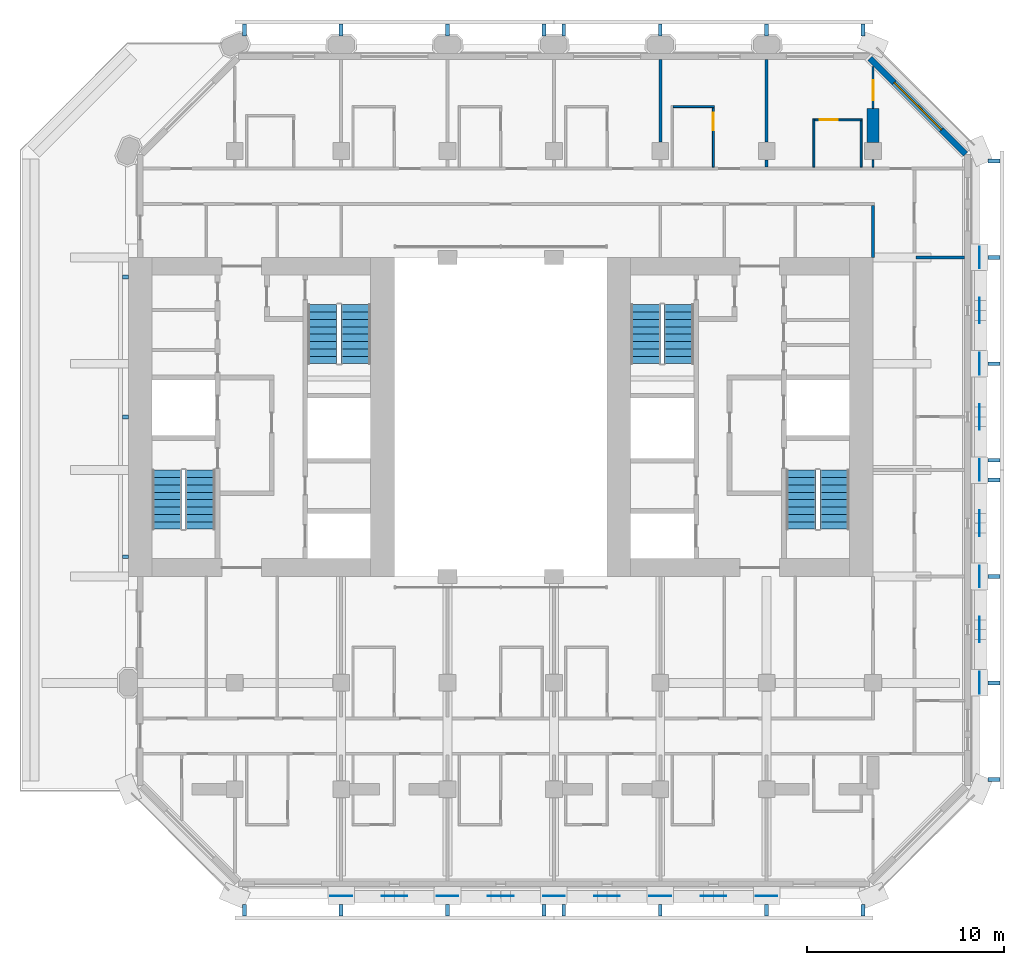
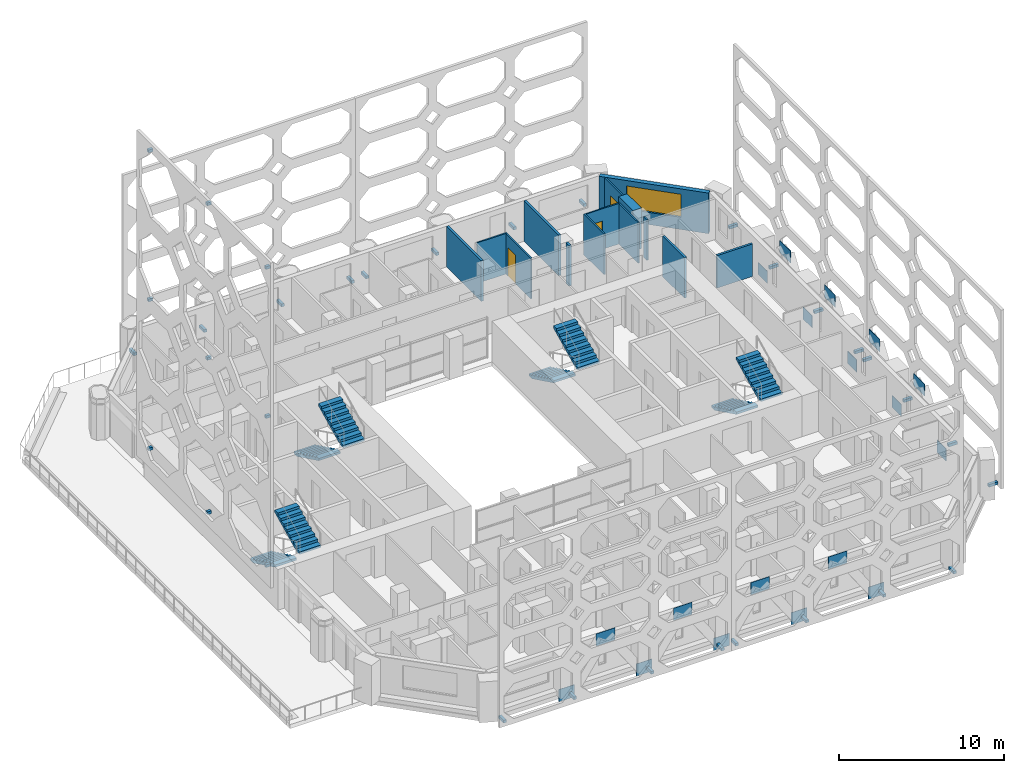
# One storey, part 12 of 16: 51 discrete accessories, 14 walls, 8 stair flights, 3 doors, 1 window, 4 openings, 4 elements without a shape of their own.
"""IFC4 building model written with IfcOpenShell, lengths in metres."""

from ifc_helpers import new_model, si_unit, direction, frame, frame_2d, origin, origin_2d, place, context, subcontext, project, spatial, polyline, rectangle, outline, extrude, material, layer, layer_set, type_object, element, fill, aggregate, save


model = new_model("IFC4")

# Units and contexts
model_context = context("Model", 3, precision=1e-05, world=origin(), true_north=direction((0.0, 1.0)))
body_context = subcontext(model_context, "Body", "Model", "MODEL_VIEW")
ifc_project = project(units=[si_unit("LENGTHUNIT", "METRE"), si_unit("AREAUNIT", "SQUARE_METRE"), si_unit("VOLUMEUNIT", "CUBIC_METRE"), si_unit("PLANEANGLEUNIT", "RADIAN"), si_unit("MASSUNIT", "GRAM", prefix="KILO")], contexts=[model_context])

# Site, building, storey
site_placement = place(None, origin())
site = spatial("IfcSite", under=ifc_project, at=site_placement, CompositionType="ELEMENT")
building_placement = place(site_placement, origin())
building = spatial("IfcBuilding", under=site, at=building_placement, Name="Tabaq Tower and Sports Hall", CompositionType="ELEMENT")
storey_placement = place(building_placement, frame((0.0, 0.0, 152.800048828125)))
storey = spatial("IfcBuildingStorey", under=building, at=storey_placement, Name="L35", CompositionType="ELEMENT", Elevation=152.800048828125)

# Wall
ifc_material_1 = material(Name="Gypsum board on steel studs", Category="steel")
ifc_layer_1 = layer(ifc_material_1, 0.10009765625)
ifc_layer_set_1 = layer_set([ifc_layer_1], Name="Partition 100 Gypsum board")
wall_type_1 = type_object("IfcWallType", Name="Partition 100 Gypsum board", PredefinedType="PARTITIONING", material=ifc_layer_set_1)
wall_1_placement = place(storey_placement, frame((33.050048828125, 40.050048828125, 0.0), z_axis=(0.0, 0.0, 1.0), x_axis=(1.0, 0.0, 0.0)))
element("IfcWall", 1, at=wall_1_placement, inside=storey, type_object=wall_type_1, Name="Partition wall L35", PredefinedType="PARTITIONING", context=body_context, shape_type="SweptSolid", body=[
    extrude(rectangle(XDim=2.099853515625, YDim=0.10009765625, at=frame_2d((1.0498046875, 0.0))), origin(), (0.0, 0.0, 1.0), 3.0),
])

# Wall, opening, door
wall_2_placement = place(storey_placement, frame((35.10009765625, 40.0, 0.0), z_axis=(0.0, 0.0, 1.0), x_axis=(0.0, -1.0, 0.0)))
wall_2 = element("IfcWall", 2, at=wall_2_placement, inside=storey, type_object=wall_type_1, Name="Partition wall L35", PredefinedType="PARTITIONING", context=body_context, shape_type="SweptSolid", body=[
    extrude(rectangle(XDim=3.02490234375, YDim=0.10009765625, at=frame_2d((1.512451171875, 0.0))), origin(), (0.0, 0.0, 1.0), 3.0),
])
opening_1_placement = place(wall_2_placement, frame((0.25, 0.0, 0.0)))
opening_1 = element("IfcOpeningElement", 3, at=opening_1_placement, cuts=wall_2, Name="Opening L35-006", PredefinedType="OPENING", context=body_context, shape_type="SweptSolid", body=[
    extrude(rectangle(XDim=0.89990234375, YDim=2.10009765625, at=frame_2d((0.449951171875, 1.050048828125))), frame((0.0, 0.050048828125, 0.0), z_axis=(0.0, -1.0, 0.0), x_axis=(1.0, 0.0, 0.0)), (0.0, 0.0, 1.0), 0.10009765625),
])
ifc_material_2 = material(Name="Timber leaf in steel frame", Category="steel")
door_type_1 = type_object("IfcDoorType", Name="Internal door 900 left hand", OperationType="SINGLE_SWING_LEFT", PredefinedType="DOOR", material=ifc_material_2)
door_1_placement = place(opening_1_placement, origin())
door_1 = element("IfcDoor", 4, at=door_1_placement, inside=storey, type_object=door_type_1, Name="Internal door L35-006", OperationType="SINGLE_SWING_LEFT", OverallHeight=2.10009765625, OverallWidth=0.89990234375, PredefinedType="DOOR", context=body_context, shape_type="SweptSolid", body=[
    extrude(rectangle(XDim=0.89990234375, YDim=2.10009765625, at=frame_2d((0.449951171875, 1.050048828125))), frame((0.0, 0.02490234375, 0.0), z_axis=(0.0, -1.0, 0.0), x_axis=(1.0, 0.0, 0.0)), (0.0, 0.0, 1.0), 0.050048828125),
])
fill(opening_1, door_1)

# Wall
wall_3_placement = place(storey_placement, frame((40.199951171875, 36.97509765625, 0.0), z_axis=(0.0, 0.0, 1.0), x_axis=(0.0, 1.0, 0.0)))
element("IfcWall", 5, at=wall_3_placement, inside=storey, type_object=wall_type_1, Name="Partition wall L35", PredefinedType="PARTITIONING", context=body_context, shape_type="SweptSolid", body=[
    extrude(rectangle(XDim=2.449951171875, YDim=0.10009765625, at=frame_2d((1.22509765625, 0.0))), origin(), (0.0, 0.0, 1.0), 3.0),
])

# Wall, opening, door
wall_4_placement = place(storey_placement, frame((40.25, 39.375, 0.0), z_axis=(0.0, 0.0, 1.0), x_axis=(1.0, 0.0, 0.0)))
wall_4 = element("IfcWall", 6, at=wall_4_placement, inside=storey, type_object=wall_type_1, Name="Partition wall L35", PredefinedType="PARTITIONING", context=body_context, shape_type="SweptSolid", body=[
    extrude(rectangle(XDim=2.39990234375, YDim=0.10009765625, at=frame_2d((1.199951171875, 0.0))), origin(), (0.0, 0.0, 1.0), 3.0),
])
opening_2_placement = place(wall_4_placement, frame((0.25, 0.0, 0.0)))
opening_2 = element("IfcOpeningElement", 7, at=opening_2_placement, cuts=wall_4, Name="Opening L35-007", PredefinedType="OPENING", context=body_context, shape_type="SweptSolid", body=[
    extrude(rectangle(XDim=0.89990234375, YDim=2.10009765625, at=frame_2d((0.449951171875, 1.050048828125))), frame((0.0, 0.050048828125, 0.0), z_axis=(0.0, -1.0, 0.0), x_axis=(1.0, 0.0, 0.0)), (0.0, 0.0, 1.0), 0.10009765625),
])
door_2_placement = place(opening_2_placement, origin())
door_2 = element("IfcDoor", 8, at=door_2_placement, inside=storey, type_object=door_type_1, Name="Internal door L35-007", OperationType="SINGLE_SWING_LEFT", OverallHeight=2.10009765625, OverallWidth=0.89990234375, PredefinedType="DOOR", context=body_context, shape_type="SweptSolid", body=[
    extrude(rectangle(XDim=0.89990234375, YDim=2.10009765625, at=frame_2d((0.449951171875, 1.050048828125))), frame((0.0, 0.02490234375, 0.0), z_axis=(0.0, -1.0, 0.0), x_axis=(1.0, 0.0, 0.0)), (0.0, 0.0, 1.0), 0.050048828125),
])
fill(opening_2, door_2)

# Walls
wall_5_placement = place(storey_placement, frame((42.60009765625, 39.324951171875, 0.0), z_axis=(0.0, 0.0, 1.0), x_axis=(0.0, -1.0, 0.0)))
element("IfcWall", 9, at=wall_5_placement, inside=storey, type_object=wall_type_1, Name="Partition wall L35", PredefinedType="PARTITIONING", context=body_context, shape_type="SweptSolid", body=[
    extrude(rectangle(XDim=2.349853515625, YDim=0.10009765625, at=frame_2d((1.1748046875, 0.0))), origin(), (0.0, 0.0, 1.0), 3.0),
])
wall_6_placement = place(storey_placement, frame((43.199951171875, 36.97509765625, 0.0), z_axis=(0.0, 0.0, 1.0), x_axis=(0.0, 1.0, 0.0)))
element("IfcWall", 10, at=wall_6_placement, inside=storey, type_object=wall_type_1, Name="Partition wall L35", PredefinedType="PARTITIONING", context=body_context, shape_type="SweptSolid", body=[
    extrude(rectangle(XDim=0.3798828125, YDim=0.10009765625, at=frame_2d((0.18994140625, 0.0))), origin(), (0.0, 0.0, 1.0), 3.0),
])

# Wall, opening, door
wall_7_placement = place(storey_placement, frame((43.199951171875, 39.96240234375, 0.0), z_axis=(0.0, 0.0, 1.0), x_axis=(0.0, 1.0, 0.0)))
wall_7 = element("IfcWall", 11, at=wall_7_placement, inside=storey, type_object=wall_type_1, Name="Partition wall L35", PredefinedType="PARTITIONING", context=body_context, shape_type="SweptSolid", body=[
    extrude(rectangle(XDim=2.12548828125, YDim=0.10009765625, at=frame_2d((1.062744140625, 0.0))), origin(), (0.0, 0.0, 1.0), 3.0),
])
opening_3_placement = place(wall_7_placement, frame((0.42138671875, 0.0, 0.0)))
opening_3 = element("IfcOpeningElement", 12, at=opening_3_placement, cuts=wall_7, Name="Opening L35-034", PredefinedType="OPENING", context=body_context, shape_type="SweptSolid", body=[
    extrude(rectangle(XDim=1.0, YDim=2.10009765625, at=frame_2d((0.5, 1.050048828125))), frame((0.0, 0.050048828125, 0.0), z_axis=(0.0, -1.0, 0.0), x_axis=(1.0, 0.0, 0.0)), (0.0, 0.0, 1.0), 0.10009765625),
])
ifc_material_3 = material(Name="Timber leaf in steel frame", Category="steel")
door_type_2 = type_object("IfcDoorType", Name="Internal door 1000 left hand", OperationType="SINGLE_SWING_LEFT", PredefinedType="DOOR", material=ifc_material_3)
door_3_placement = place(opening_3_placement, origin())
door_3 = element("IfcDoor", 13, at=door_3_placement, inside=storey, type_object=door_type_2, Name="Internal door L35-034", OperationType="SINGLE_SWING_LEFT", OverallHeight=2.10009765625, OverallWidth=1.0, PredefinedType="DOOR", context=body_context, shape_type="SweptSolid", body=[
    extrude(rectangle(XDim=1.0, YDim=2.10009765625, at=frame_2d((0.5, 1.050048828125))), frame((0.0, 0.02490234375, 0.0), z_axis=(0.0, -1.0, 0.0), x_axis=(1.0, 0.0, 0.0)), (0.0, 0.0, 1.0), 0.050048828125),
])
fill(opening_3, door_3)

# Walls
ifc_material_4 = material(Name="Concrete C50/60", Category="concrete")
ifc_layer_2 = layer(ifc_material_4, 0.60009765625)
ifc_layer_set_2 = layer_set([ifc_layer_2], Name="RC TRANSFER WALL 600 C50/60")
wall_type_2 = type_object("IfcWallType", Name="RC TRANSFER WALL 600 C50/60", PredefinedType="SHEAR", material=ifc_layer_set_2)
wall_8_placement = place(storey_placement, frame((43.199951171875, 38.22509765625, 0.0), z_axis=(0.0, 0.0, 1.0), x_axis=(0.0, 1.0, 0.0)))
element("IfcWall", 14, at=wall_8_placement, inside=storey, type_object=wall_type_2, Name="Transfer Wall L35 East 2", PredefinedType="SHEAR", context=body_context, shape_type="SweptSolid", body=[
    extrude(rectangle(XDim=1.7373046875, YDim=0.60009765625, at=frame_2d((0.86865234375, 0.0))), origin(), (0.0, 0.0, 1.0), 3.0),
])
ifc_material_5 = material(Name="Blockwork", Category="masonry")
ifc_layer_3 = layer(ifc_material_5, 0.14990234375)
ifc_layer_set_3 = layer_set([ifc_layer_3], Name="Separating wall 150 Blockwork")
wall_type_3 = type_object("IfcWallType", Name="Separating wall 150 Blockwork", PredefinedType="PARTITIONING", material=ifc_layer_set_3)
wall_9_placement = place(storey_placement, frame((45.375, 32.39990234375, 0.0), z_axis=(0.0, 0.0, 1.0), x_axis=(1.0, 0.0, 0.0)))
element("IfcWall", 15, at=wall_9_placement, inside=storey, type_object=wall_type_3, Name="Separating wall L35", PredefinedType="PARTITIONING", context=body_context, shape_type="SweptSolid", body=[
    extrude(rectangle(XDim=2.47412109375, YDim=0.14990234375, at=frame_2d((1.237060546875, 0.0))), origin(), (0.0, 0.0, 1.0), 2.39990234375),
])
wall_10_placement = place(storey_placement, frame((32.39990234375, 38.2451171875, 0.0), z_axis=(0.0, 0.0, 1.0), x_axis=(0.0, 1.0, 0.0)))
element("IfcWall", 16, at=wall_10_placement, inside=storey, type_object=wall_type_3, Name="Separating wall L35", PredefinedType="PARTITIONING", context=body_context, shape_type="SweptSolid", body=[
    extrude(rectangle(XDim=4.203857421875, YDim=0.14990234375, at=frame_2d((2.10205078125, 0.0))), origin(), (0.0, 0.0, 1.0), 3.0),
])
wall_11_placement = place(storey_placement, frame((37.800048828125, 36.97509765625, 0.0), z_axis=(0.0, 0.0, 1.0), x_axis=(0.0, 1.0, 0.0)))
element("IfcWall", 17, at=wall_11_placement, inside=storey, type_object=wall_type_3, Name="Separating wall L35", PredefinedType="PARTITIONING", context=body_context, shape_type="SweptSolid", body=[
    extrude(rectangle(XDim=0.3798828125, YDim=0.14990234375, at=frame_2d((0.18994140625, 0.0))), origin(), (0.0, 0.0, 1.0), 3.0),
])
wall_12_placement = place(storey_placement, frame((37.800048828125, 38.2451171875, 0.0), z_axis=(0.0, 0.0, 1.0), x_axis=(0.0, 1.0, 0.0)))
element("IfcWall", 18, at=wall_12_placement, inside=storey, type_object=wall_type_3, Name="Separating wall L35", PredefinedType="PARTITIONING", context=body_context, shape_type="SweptSolid", body=[
    extrude(rectangle(XDim=4.203857421875, YDim=0.14990234375, at=frame_2d((2.10205078125, 0.0))), origin(), (0.0, 0.0, 1.0), 3.0),
])
wall_13_placement = place(storey_placement, frame((43.199951171875, 35.02490234375, 0.0), z_axis=(0.0, 0.0, 1.0), x_axis=(0.0, -1.0, 0.0)))
element("IfcWall", 19, at=wall_13_placement, inside=storey, type_object=wall_type_3, Name="Separating wall L35", PredefinedType="PARTITIONING", context=body_context, shape_type="SweptSolid", body=[
    extrude(rectangle(XDim=2.625, YDim=0.14990234375, at=frame_2d((1.3125, 0.0))), origin(), (0.0, 0.0, 1.0), 3.0),
])

# Wall, opening, window
ifc_material_6 = material(Name="White precast concrete C60/75", Category="concrete")
ifc_layer_4 = layer(ifc_material_6, 0.300048828125)
ifc_layer_set_4 = layer_set([ifc_layer_4], Name="White precast concrete C60/75 external wall 300")
wall_type_4 = type_object("IfcWallType", Name="White precast concrete C60/75 external wall 300", PredefinedType="SOLIDWALL", material=ifc_layer_set_4)
wall_14_placement = place(storey_placement, frame((47.901123046875, 37.650390625, 0.0), z_axis=(0.0, 0.0, 1.0), x_axis=(-0.707106781187, 0.707106781187, 0.0)))
wall_14 = element("IfcWall", 20, at=wall_14_placement, inside=storey, type_object=wall_type_4, Name="External Wall L35 NE", PredefinedType="SOLIDWALL", context=body_context, shape_type="SweptSolid", body=[
    extrude(rectangle(XDim=6.85986328125, YDim=0.300048828125, at=frame_2d((3.429931640625, 0.0))), origin(), (0.0, 0.0, 1.0), 3.0),
])
opening_4_placement = place(wall_14_placement, frame((1.729736328125, 0.0, 0.89990234375)))
opening_4 = element("IfcOpeningElement", 21, at=opening_4_placement, cuts=wall_14, Name="Opening W1A", PredefinedType="OPENING", context=body_context, shape_type="SweptSolid", body=[
    extrude(rectangle(XDim=3.39990234375, YDim=1.699951171875, at=frame_2d((1.699951171875, 0.85009765625))), frame((0.0, 0.16015625, 0.0), z_axis=(0.0, -1.0, 0.0), x_axis=(1.0, 0.0, 0.0)), (0.0, 0.0, 1.0), 0.320068359375),
])
ifc_material_7 = material(Name="Aluminium framed clear glazing", Category="aluminium")
window_type = type_object("IfcWindowType", Name="Window W1A", PartitioningType="SINGLE_PANEL", PredefinedType="WINDOW", material=ifc_material_7)
window_placement = place(opening_4_placement, origin())
window = element("IfcWindow", 22, at=window_placement, inside=storey, type_object=window_type, Name="Window W1A L35", OverallHeight=1.699951171875, OverallWidth=3.39990234375, PartitioningType="SINGLE_PANEL", PredefinedType="WINDOW", context=body_context, shape_type="SweptSolid", body=[
    extrude(rectangle(XDim=3.39990234375, YDim=1.699951171875, at=frame_2d((1.699951171875, 0.85009765625))), frame((0.0, 0.030029296875, 0.0), z_axis=(0.0, -1.0, 0.0), x_axis=(1.0, 0.0, 0.0)), (0.0, 0.0, 1.0), 0.06005859375),
])
fill(opening_4, window)

# Stair, stair flights
ifc_material_8 = material(Name="Concrete C40/50", Category="concrete")
stair_type = type_object("IfcStairType", Name="Exit stair", PredefinedType="HALF_TURN_STAIR", material=ifc_material_8)
stair_1_placement = place(storey_placement, origin())
stair_1 = element("IfcStair", 23, at=stair_1_placement, inside=storey, type_object=stair_type, Name="L35 Exit stair ST1", PredefinedType="HALF_TURN_STAIR")
ifc_material_9 = material(Name="Concrete C40/50", Category="concrete")
stair_flight_type = type_object("IfcStairFlightType", Name="Exit stair flight", PredefinedType="STRAIGHT", material=ifc_material_9)
stair_flight_1_placement = place(storey_placement, frame((7.35009765625, 21.60009765625, 0.0), z_axis=(0.0, 0.0, 1.0), x_axis=(0.0, -1.0, 0.0)))
stair_flight_1 = element("IfcStairFlight", 24, at=stair_flight_1_placement, type_object=stair_flight_type, Name="ST1 flight 1", NumberOfRisers=9, NumberOfTreads=8, PredefinedType="STRAIGHT", RiserHeight=0.183333333, TreadLength=0.375, context=body_context, shape_type="SweptSolid", body=[
    extrude(outline(polyline([(0.0, 0.0), (0.0, 0.183349609375), (0.375, 0.183349609375), (0.375, 0.36669921875), (0.75, 0.36669921875), (0.75, 0.550048828125), (1.125, 0.550048828125), (1.125, 0.7333984375), (1.5, 0.7333984375), (1.5, 0.916748046875), (1.875, 0.916748046875), (1.875, 1.10009765625), (2.25, 1.10009765625), (2.25, 1.283447265625), (2.625, 1.283447265625), (2.625, 1.466552734375), (3.0, 1.466552734375), (3.0, 1.64990234375), (3.0, 1.2998046875), (0.34130859375, 0.0), (0.0, 0.0)])), frame((0.0, 0.75, 0.0), z_axis=(0.0, -1.0, 0.0), x_axis=(1.0, 0.0, 0.0)), (0.0, 0.0, 1.0), 1.5),
])
stair_flight_2_placement = place(storey_placement, frame((9.050048828125, 18.60009765625, 1.64990234375), z_axis=(0.0, 0.0, 1.0), x_axis=(0.0, 1.0, 0.0)))
stair_flight_2 = element("IfcStairFlight", 25, at=stair_flight_2_placement, type_object=stair_flight_type, Name="ST1 flight 2", NumberOfRisers=9, NumberOfTreads=8, PredefinedType="STRAIGHT", RiserHeight=0.183333333, TreadLength=0.375, context=body_context, shape_type="SweptSolid", body=[
    extrude(outline(polyline([(0.0, 0.0), (0.0, 0.183349609375), (0.375, 0.183349609375), (0.375, 0.36669921875), (0.75, 0.36669921875), (0.75, 0.550048828125), (1.125, 0.550048828125), (1.125, 0.7333984375), (1.5, 0.7333984375), (1.5, 0.916748046875), (1.875, 0.916748046875), (1.875, 1.10009765625), (2.25, 1.10009765625), (2.25, 1.283447265625), (2.625, 1.283447265625), (2.625, 1.466552734375), (3.0, 1.466552734375), (3.0, 1.64990234375), (3.0, 1.2998046875), (0.34130859375, 0.0), (0.0, 0.0)])), frame((0.0, 0.75, 0.0), z_axis=(0.0, -1.0, 0.0), x_axis=(1.0, 0.0, 0.0)), (0.0, 0.0, 1.0), 1.5),
])
aggregate(stair_1, [stair_flight_1, stair_flight_2])

stair_2_placement = place(storey_placement, origin())
stair_2 = element("IfcStair", 26, at=stair_2_placement, inside=storey, type_object=stair_type, Name="L35 Exit stair ST2", PredefinedType="HALF_TURN_STAIR")
stair_flight_3_placement = place(storey_placement, frame((15.25, 30.0, 0.0), z_axis=(0.0, 0.0, 1.0), x_axis=(0.0, -1.0, 0.0)))
stair_flight_3 = element("IfcStairFlight", 27, at=stair_flight_3_placement, type_object=stair_flight_type, Name="ST2 flight 1", NumberOfRisers=9, NumberOfTreads=8, PredefinedType="STRAIGHT", RiserHeight=0.183333333, TreadLength=0.375, context=body_context, shape_type="SweptSolid", body=[
    extrude(outline(polyline([(0.0, 0.0), (0.0, 0.183349609375), (0.375, 0.183349609375), (0.375, 0.36669921875), (0.75, 0.36669921875), (0.75, 0.550048828125), (1.125, 0.550048828125), (1.125, 0.7333984375), (1.5, 0.7333984375), (1.5, 0.916748046875), (1.875, 0.916748046875), (1.875, 1.10009765625), (2.25, 1.10009765625), (2.25, 1.283447265625), (2.625, 1.283447265625), (2.625, 1.466552734375), (3.0, 1.466552734375), (3.0, 1.64990234375), (3.0, 1.2998046875), (0.34130859375, 0.0), (0.0, 0.0)])), frame((0.0, 0.75, 0.0), z_axis=(0.0, -1.0, 0.0), x_axis=(1.0, 0.0, 0.0)), (0.0, 0.0, 1.0), 1.5),
])
stair_flight_4_placement = place(storey_placement, frame((16.949951171875, 27.0, 1.64990234375), z_axis=(0.0, 0.0, 1.0), x_axis=(0.0, 1.0, 0.0)))
stair_flight_4 = element("IfcStairFlight", 28, at=stair_flight_4_placement, type_object=stair_flight_type, Name="ST2 flight 2", NumberOfRisers=9, NumberOfTreads=8, PredefinedType="STRAIGHT", RiserHeight=0.183333333, TreadLength=0.375, context=body_context, shape_type="SweptSolid", body=[
    extrude(outline(polyline([(0.0, 0.0), (0.0, 0.183349609375), (0.375, 0.183349609375), (0.375, 0.36669921875), (0.75, 0.36669921875), (0.75, 0.550048828125), (1.125, 0.550048828125), (1.125, 0.7333984375), (1.5, 0.7333984375), (1.5, 0.916748046875), (1.875, 0.916748046875), (1.875, 1.10009765625), (2.25, 1.10009765625), (2.25, 1.283447265625), (2.625, 1.283447265625), (2.625, 1.466552734375), (3.0, 1.466552734375), (3.0, 1.64990234375), (3.0, 1.2998046875), (0.34130859375, 0.0), (0.0, 0.0)])), frame((0.0, 0.75, 0.0), z_axis=(0.0, -1.0, 0.0), x_axis=(1.0, 0.0, 0.0)), (0.0, 0.0, 1.0), 1.5),
])
aggregate(stair_2, [stair_flight_3, stair_flight_4])

stair_3_placement = place(storey_placement, origin())
stair_3 = element("IfcStair", 29, at=stair_3_placement, inside=storey, type_object=stair_type, Name="L35 Exit stair ST3", PredefinedType="HALF_TURN_STAIR")
stair_flight_5_placement = place(storey_placement, frame((39.550048828125, 21.60009765625, 0.0), z_axis=(0.0, 0.0, 1.0), x_axis=(0.0, -1.0, 0.0)))
stair_flight_5 = element("IfcStairFlight", 30, at=stair_flight_5_placement, type_object=stair_flight_type, Name="ST3 flight 1", NumberOfRisers=9, NumberOfTreads=8, PredefinedType="STRAIGHT", RiserHeight=0.183333333, TreadLength=0.375, context=body_context, shape_type="SweptSolid", body=[
    extrude(outline(polyline([(0.0, 0.0), (0.0, 0.183349609375), (0.375, 0.183349609375), (0.375, 0.36669921875), (0.75, 0.36669921875), (0.75, 0.550048828125), (1.125, 0.550048828125), (1.125, 0.7333984375), (1.5, 0.7333984375), (1.5, 0.916748046875), (1.875, 0.916748046875), (1.875, 1.10009765625), (2.25, 1.10009765625), (2.25, 1.283447265625), (2.625, 1.283447265625), (2.625, 1.466552734375), (3.0, 1.466552734375), (3.0, 1.64990234375), (3.0, 1.2998046875), (0.34130859375, 0.0), (0.0, 0.0)])), frame((0.0, 0.75, 0.0), z_axis=(0.0, -1.0, 0.0), x_axis=(1.0, 0.0, 0.0)), (0.0, 0.0, 1.0), 1.5),
])
stair_flight_6_placement = place(storey_placement, frame((41.25, 18.60009765625, 1.64990234375), z_axis=(0.0, 0.0, 1.0), x_axis=(0.0, 1.0, 0.0)))
stair_flight_6 = element("IfcStairFlight", 31, at=stair_flight_6_placement, type_object=stair_flight_type, Name="ST3 flight 2", NumberOfRisers=9, NumberOfTreads=8, PredefinedType="STRAIGHT", RiserHeight=0.183333333, TreadLength=0.375, context=body_context, shape_type="SweptSolid", body=[
    extrude(outline(polyline([(0.0, 0.0), (0.0, 0.183349609375), (0.375, 0.183349609375), (0.375, 0.36669921875), (0.75, 0.36669921875), (0.75, 0.550048828125), (1.125, 0.550048828125), (1.125, 0.7333984375), (1.5, 0.7333984375), (1.5, 0.916748046875), (1.875, 0.916748046875), (1.875, 1.10009765625), (2.25, 1.10009765625), (2.25, 1.283447265625), (2.625, 1.283447265625), (2.625, 1.466552734375), (3.0, 1.466552734375), (3.0, 1.64990234375), (3.0, 1.2998046875), (0.34130859375, 0.0), (0.0, 0.0)])), frame((0.0, 0.75, 0.0), z_axis=(0.0, -1.0, 0.0), x_axis=(1.0, 0.0, 0.0)), (0.0, 0.0, 1.0), 1.5),
])
aggregate(stair_3, [stair_flight_5, stair_flight_6])

stair_4_placement = place(storey_placement, origin())
stair_4 = element("IfcStair", 32, at=stair_4_placement, inside=storey, type_object=stair_type, Name="L35 Exit stair ST4", PredefinedType="HALF_TURN_STAIR")
stair_flight_7_placement = place(storey_placement, frame((31.64990234375, 30.0, 0.0), z_axis=(0.0, 0.0, 1.0), x_axis=(0.0, -1.0, 0.0)))
stair_flight_7 = element("IfcStairFlight", 33, at=stair_flight_7_placement, type_object=stair_flight_type, Name="ST4 flight 1", NumberOfRisers=9, NumberOfTreads=8, PredefinedType="STRAIGHT", RiserHeight=0.183333333, TreadLength=0.375, context=body_context, shape_type="SweptSolid", body=[
    extrude(outline(polyline([(0.0, 0.0), (0.0, 0.183349609375), (0.375, 0.183349609375), (0.375, 0.36669921875), (0.75, 0.36669921875), (0.75, 0.550048828125), (1.125, 0.550048828125), (1.125, 0.7333984375), (1.5, 0.7333984375), (1.5, 0.916748046875), (1.875, 0.916748046875), (1.875, 1.10009765625), (2.25, 1.10009765625), (2.25, 1.283447265625), (2.625, 1.283447265625), (2.625, 1.466552734375), (3.0, 1.466552734375), (3.0, 1.64990234375), (3.0, 1.2998046875), (0.34130859375, 0.0), (0.0, 0.0)])), frame((0.0, 0.75, 0.0), z_axis=(0.0, -1.0, 0.0), x_axis=(1.0, 0.0, 0.0)), (0.0, 0.0, 1.0), 1.5),
])
stair_flight_8_placement = place(storey_placement, frame((33.35009765625, 27.0, 1.64990234375), z_axis=(0.0, 0.0, 1.0), x_axis=(0.0, 1.0, 0.0)))
stair_flight_8 = element("IfcStairFlight", 34, at=stair_flight_8_placement, type_object=stair_flight_type, Name="ST4 flight 2", NumberOfRisers=9, NumberOfTreads=8, PredefinedType="STRAIGHT", RiserHeight=0.183333333, TreadLength=0.375, context=body_context, shape_type="SweptSolid", body=[
    extrude(outline(polyline([(0.0, 0.0), (0.0, 0.183349609375), (0.375, 0.183349609375), (0.375, 0.36669921875), (0.75, 0.36669921875), (0.75, 0.550048828125), (1.125, 0.550048828125), (1.125, 0.7333984375), (1.5, 0.7333984375), (1.5, 0.916748046875), (1.875, 0.916748046875), (1.875, 1.10009765625), (2.25, 1.10009765625), (2.25, 1.283447265625), (2.625, 1.283447265625), (2.625, 1.466552734375), (3.0, 1.466552734375), (3.0, 1.64990234375), (3.0, 1.2998046875), (0.34130859375, 0.0), (0.0, 0.0)])), frame((0.0, 0.75, 0.0), z_axis=(0.0, -1.0, 0.0), x_axis=(1.0, 0.0, 0.0)), (0.0, 0.0, 1.0), 1.5),
])
aggregate(stair_4, [stair_flight_7, stair_flight_8])

# Discrete accessories
ifc_material_10 = material(Name="Steel S355", Category="steel")
ifc_layer_5 = layer(ifc_material_10, 0.030029296875)
ifc_layer_set_5 = layer_set([ifc_layer_5], Name="TRANSFER BAND NODE PLATE 1100x900x30 S355")
discrete_accessory_type_1 = type_object("IfcDiscreteAccessoryType", Name="TRANSFER BAND NODE PLATE 1100x900x30 S355", PredefinedType="ANCHORPLATE", material=ifc_layer_set_5)
for number, where, z_axis, x_axis, name in (
    (35, (16.199951171875, -0.014892578125, -0.5), (0.0, 0.0, 1.0), (1.0, 0.0, 0.0), "Transfer band node plate L35 South"),
    (36, (21.60009765625, -0.014892578125, -0.5), (0.0, 0.0, 1.0), (1.0, 0.0, 0.0), "Transfer band node plate L35 South"),
    (37, (27.0, -0.014892578125, -0.5), (0.0, 0.0, 1.0), (1.0, 0.0, 0.0), "Transfer band node plate L35 South"),
    (38, (32.39990234375, -0.014892578125, -0.5), (0.0, 0.0, 1.0), (1.0, 0.0, 0.0), "Transfer band node plate L35 South"),
    (39, (37.800048828125, -0.014892578125, -0.5), (0.0, 0.0, 1.0), (1.0, 0.0, 0.0), "Transfer band node plate L35 South"),
    (40, (48.614990234375, 10.800048828125, -0.5), (0.0, 0.0, 1.0), (0.0, 1.0, 0.0), "Transfer band node plate L35 East"),
    (41, (48.614990234375, 16.199951171875, -0.5), (0.0, 0.0, 1.0), (0.0, 1.0, 0.0), "Transfer band node plate L35 East"),
    (42, (48.614990234375, 21.60009765625, -0.5), (0.0, 0.0, 1.0), (0.0, 1.0, 0.0), "Transfer band node plate L35 East"),
    (43, (48.614990234375, 27.0, -0.5), (0.0, 0.0, 1.0), (0.0, 1.0, 0.0), "Transfer band node plate L35 East"),
    (44, (48.614990234375, 32.39990234375, -0.5), (0.0, 0.0, 1.0), (0.0, 1.0, 0.0), "Transfer band node plate L35 East"),
):
    element("IfcDiscreteAccessory", number, at=place(storey_placement, frame(where, z_axis=z_axis, x_axis=x_axis)), inside=storey, type_object=discrete_accessory_type_1, Name=name, PredefinedType="ANCHORPLATE", context=body_context, shape_type="SweptSolid", body=[
        extrude(rectangle(XDim=1.10009765625, YDim=0.030029296875, at=origin_2d()), origin(), (0.0, 0.0, 1.0), 0.89990234375),
    ])
ifc_material_11 = material(Name="Steel S355", Category="steel")
ifc_layer_6 = layer(ifc_material_11, 0.030029296875)
ifc_layer_set_6 = layer_set([ifc_layer_6], Name="TRANSFER BAND NODE PLATE 1300x900x30 S355")
discrete_accessory_type_2 = type_object("IfcDiscreteAccessoryType", Name="TRANSFER BAND NODE PLATE 1300x900x30 S355", PredefinedType="ANCHORPLATE", material=ifc_layer_set_6)
for number, where, z_axis, x_axis, name in (
    (45, (18.89990234375, -0.014892578125, 2.699951171875), (0.0, 0.0, 1.0), (1.0, 0.0, 0.0), "Transfer band node plate L35 South"),
    (46, (24.300048828125, -0.014892578125, 2.699951171875), (0.0, 0.0, 1.0), (1.0, 0.0, 0.0), "Transfer band node plate L35 South"),
    (47, (29.699951171875, -0.014892578125, 2.699951171875), (0.0, 0.0, 1.0), (1.0, 0.0, 0.0), "Transfer band node plate L35 South"),
    (48, (35.10009765625, -0.014892578125, 2.699951171875), (0.0, 0.0, 1.0), (1.0, 0.0, 0.0), "Transfer band node plate L35 South"),
    (49, (48.614990234375, 13.5, 2.699951171875), (0.0, 0.0, 1.0), (0.0, 1.0, 0.0), "Transfer band node plate L35 East"),
    (50, (48.614990234375, 18.89990234375, 2.699951171875), (0.0, 0.0, 1.0), (0.0, 1.0, 0.0), "Transfer band node plate L35 East"),
    (51, (48.614990234375, 24.300048828125, 2.699951171875), (0.0, 0.0, 1.0), (0.0, 1.0, 0.0), "Transfer band node plate L35 East"),
    (52, (48.614990234375, 29.699951171875, 2.699951171875), (0.0, 0.0, 1.0), (0.0, 1.0, 0.0), "Transfer band node plate L35 East"),
):
    element("IfcDiscreteAccessory", number, at=place(storey_placement, frame(where, z_axis=z_axis, x_axis=x_axis)), inside=storey, type_object=discrete_accessory_type_2, Name=name, PredefinedType="ANCHORPLATE", context=body_context, shape_type="SweptSolid", body=[
        extrude(rectangle(XDim=1.300048828125, YDim=0.030029296875, at=origin_2d()), origin(), (0.0, 0.0, 1.0), 0.89990234375),
    ])
for number, where, z_axis, x_axis, name in (
    (53, (5.25, 31.39990234375, 2.7001953125), (0.0, 0.0, 1.0), (0.0, 1.0, 0.0), "Stainless steel bracket"),
    (54, (5.25, 31.39990234375, 13.7001953125), (0.0, 0.0, 1.0), (0.0, 1.0, 0.0), "Stainless steel bracket"),
    (55, (5.25, 31.39990234375, 24.7001953125), (0.0, 0.0, 1.0), (0.0, 1.0, 0.0), "Stainless steel bracket"),
    (56, (5.25, 24.300048828125, 2.2998046875), (0.0, 0.0, 1.0), (0.0, 1.0, 0.0), "Stainless steel bracket"),
    (57, (5.25, 24.300048828125, 13.7001953125), (0.0, 0.0, 1.0), (0.0, 1.0, 0.0), "Stainless steel bracket"),
    (58, (5.25, 24.300048828125, 25.10009765625), (0.0, 0.0, 1.0), (0.0, 1.0, 0.0), "Stainless steel bracket"),
    (59, (5.25, 17.199951171875, 2.7001953125), (0.0, 0.0, 1.0), (0.0, 1.0, 0.0), "Stainless steel bracket"),
    (60, (5.25, 17.199951171875, 13.7001953125), (0.0, 0.0, 1.0), (0.0, 1.0, 0.0), "Stainless steel bracket"),
    (61, (5.25, 17.199951171875, 24.7001953125), (0.0, 0.0, 1.0), (0.0, 1.0, 0.0), "Stainless steel bracket"),
):
    element("IfcDiscreteAccessory", number, at=place(storey_placement, frame(where, z_axis=z_axis, x_axis=x_axis)), inside=storey, Name=name, PredefinedType="BRACKET", context=body_context, shape_type="SweptSolid", body=[
        extrude(rectangle(XDim=0.199951171875, YDim=0.300048828125, at=origin_2d()), origin(), (0.0, 0.0, 1.0), 0.199951171875),
    ])
for number, where, z_axis, x_axis, name in (
    (62, (11.300048828125, -0.75, 0.10009765625), (0.0, 0.0, 1.0), (0.0, -1.0, 0.0), "Stainless steel bracket"),
    (63, (16.199951171875, -0.75, 0.10009765625), (0.0, 0.0, 1.0), (0.0, -1.0, 0.0), "Stainless steel bracket"),
    (64, (21.60009765625, -0.75, 0.10009765625), (0.0, 0.0, 1.0), (0.0, -1.0, 0.0), "Stainless steel bracket"),
    (65, (26.5, -0.75, 0.10009765625), (0.0, 0.0, 1.0), (0.0, -1.0, 0.0), "Stainless steel bracket"),
    (66, (27.5, -0.75, 0.10009765625), (0.0, 0.0, 1.0), (0.0, -1.0, 0.0), "Stainless steel bracket"),
    (67, (32.39990234375, -0.75, 0.10009765625), (0.0, 0.0, 1.0), (0.0, -1.0, 0.0), "Stainless steel bracket"),
    (68, (37.800048828125, -0.75, 0.10009765625), (0.0, 0.0, 1.0), (0.0, -1.0, 0.0), "Stainless steel bracket"),
    (69, (42.699951171875, -0.75, 0.10009765625), (0.0, 0.0, 1.0), (0.0, -1.0, 0.0), "Stainless steel bracket"),
    (70, (49.35009765625, 5.89990234375, 0.10009765625), (0.0, 0.0, 1.0), (1.0, 0.0, 0.0), "Stainless steel bracket"),
    (71, (49.35009765625, 10.800048828125, 0.10009765625), (0.0, 0.0, 1.0), (1.0, 0.0, 0.0), "Stainless steel bracket"),
    (72, (49.35009765625, 16.199951171875, 0.10009765625), (0.0, 0.0, 1.0), (1.0, 0.0, 0.0), "Stainless steel bracket"),
    (73, (49.35009765625, 21.10009765625, 0.10009765625), (0.0, 0.0, 1.0), (1.0, 0.0, 0.0), "Stainless steel bracket"),
    (74, (49.35009765625, 22.10009765625, 0.10009765625), (0.0, 0.0, 1.0), (1.0, 0.0, 0.0), "Stainless steel bracket"),
    (75, (49.35009765625, 27.0, 0.10009765625), (0.0, 0.0, 1.0), (1.0, 0.0, 0.0), "Stainless steel bracket"),
    (76, (49.35009765625, 32.39990234375, 0.10009765625), (0.0, 0.0, 1.0), (1.0, 0.0, 0.0), "Stainless steel bracket"),
    (77, (49.35009765625, 37.300048828125, 0.10009765625), (0.0, 0.0, 1.0), (1.0, 0.0, 0.0), "Stainless steel bracket"),
    (78, (42.699951171875, 43.949951171875, 0.10009765625), (0.0, 0.0, 1.0), (0.0, 1.0, 0.0), "Stainless steel bracket"),
    (79, (37.800048828125, 43.949951171875, 0.10009765625), (0.0, 0.0, 1.0), (0.0, 1.0, 0.0), "Stainless steel bracket"),
    (80, (32.39990234375, 43.949951171875, 0.10009765625), (0.0, 0.0, 1.0), (0.0, 1.0, 0.0), "Stainless steel bracket"),
    (81, (27.5, 43.949951171875, 0.10009765625), (0.0, 0.0, 1.0), (0.0, 1.0, 0.0), "Stainless steel bracket"),
    (82, (26.5, 43.949951171875, 0.10009765625), (0.0, 0.0, 1.0), (0.0, 1.0, 0.0), "Stainless steel bracket"),
    (83, (21.60009765625, 43.949951171875, 0.10009765625), (0.0, 0.0, 1.0), (0.0, 1.0, 0.0), "Stainless steel bracket"),
    (84, (16.199951171875, 43.949951171875, 0.10009765625), (0.0, 0.0, 1.0), (0.0, 1.0, 0.0), "Stainless steel bracket"),
    (85, (11.300048828125, 43.949951171875, 0.10009765625), (0.0, 0.0, 1.0), (0.0, 1.0, 0.0), "Stainless steel bracket"),
):
    element("IfcDiscreteAccessory", number, at=place(storey_placement, frame(where, z_axis=z_axis, x_axis=x_axis)), inside=storey, Name=name, PredefinedType="BRACKET", context=body_context, shape_type="SweptSolid", body=[
        extrude(rectangle(XDim=0.60009765625, YDim=0.199951171875, at=origin_2d()), origin(), (0.0, 0.0, 1.0), 0.199951171875),
    ])

save(model, "model.ifc")
